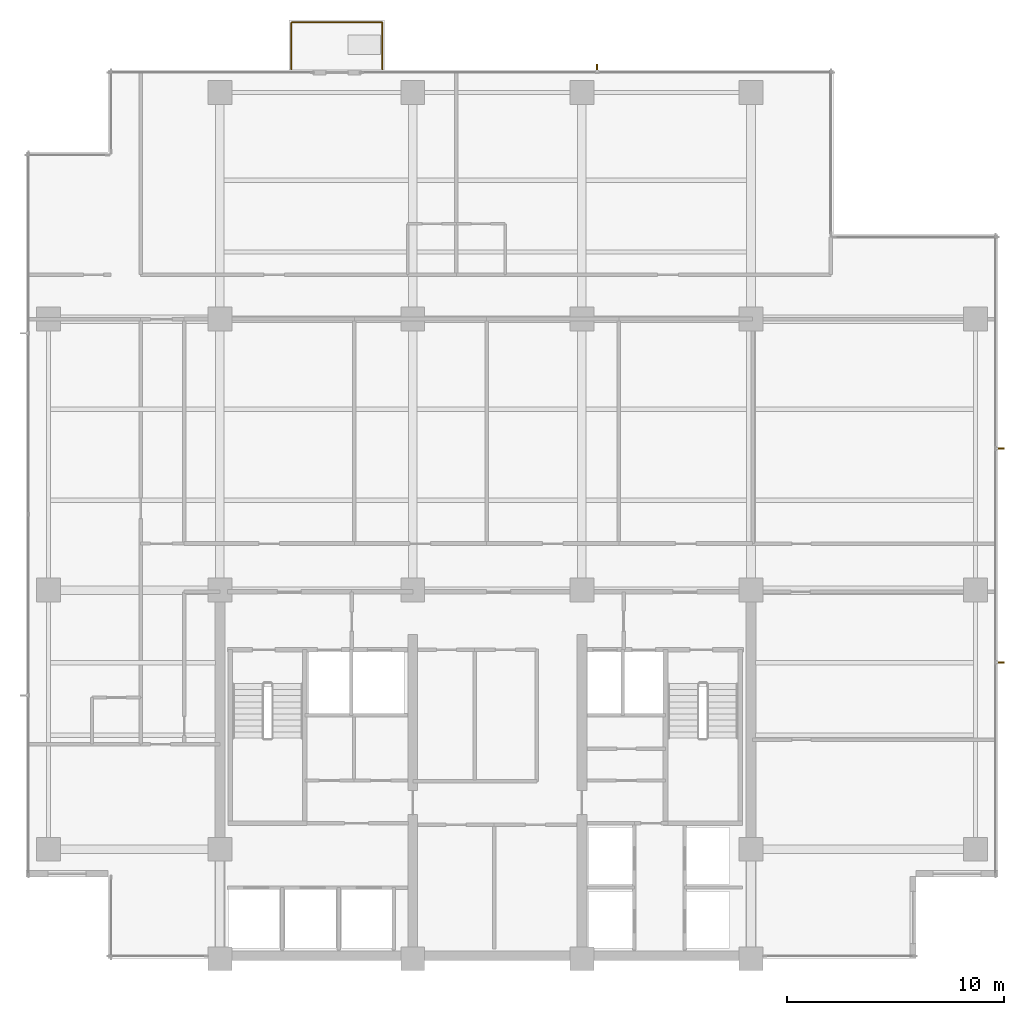
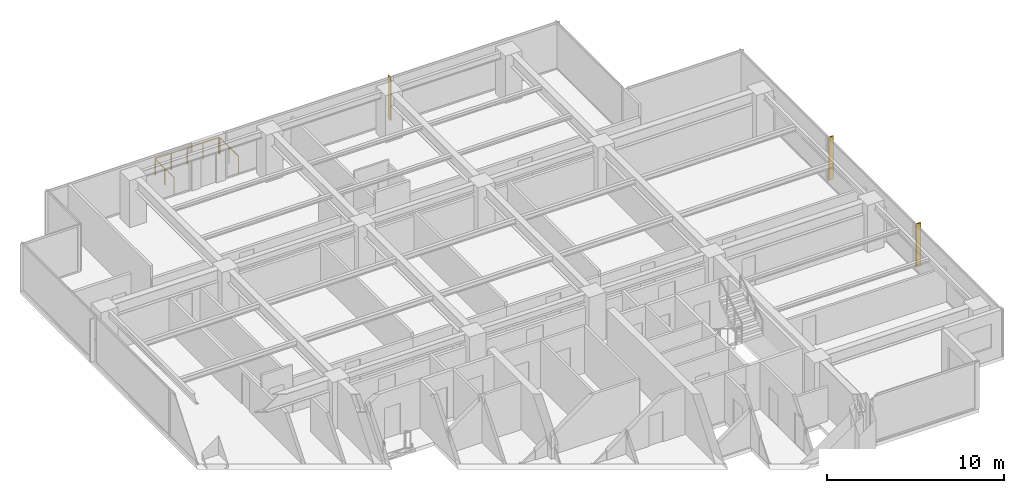
# One storey, part 14 of 14: 3 railings, 3 shading devices.
"""IFC4 building model written with IfcOpenShell, lengths in metres."""

from ifc_helpers import new_model, si_unit, direction, frame, origin, origin_2d, place, context, subcontext, project, spatial, polyline, circle, outline, extrude, material, layer, layer_set, type_object, element, save


model = new_model("IFC4")

# Units and contexts
model_context = context("Model", 3, precision=1e-05, world=origin(), true_north=direction((0.0, 1.0)))
body_context = subcontext(model_context, "Body", "Model", "MODEL_VIEW")
ifc_project = project(units=[si_unit("LENGTHUNIT", "METRE"), si_unit("AREAUNIT", "SQUARE_METRE"), si_unit("VOLUMEUNIT", "CUBIC_METRE"), si_unit("PLANEANGLEUNIT", "RADIAN"), si_unit("MASSUNIT", "GRAM", prefix="KILO")], contexts=[model_context])

# Site, building, storey
site_placement = place(None, origin())
site = spatial("IfcSite", under=ifc_project, at=site_placement, CompositionType="ELEMENT")
building_placement = place(site_placement, origin())
building = spatial("IfcBuilding", under=site, at=building_placement, Name="Qalmaran Belvedere Hotel", CompositionType="ELEMENT")
storey_placement = place(building_placement, frame((0.0, 0.0, 177.10009765625)))
storey = spatial("IfcBuildingStorey", under=building, at=storey_placement, Name="L45", CompositionType="ELEMENT", Elevation=177.10009765625)

# Shading devices
ifc_material = material(Name="Anodised Bronze Aluminium", Category="aluminium")
ifc_layer = layer(ifc_material, 0.06494140625, Name="Anodised Bronze Aluminium")
ifc_layer_set = layer_set([ifc_layer], Name="Anodised Bronze Aluminium")
shading_device_type = type_object("IfcShadingDeviceType", Name="FIN-BRNZ-300", PredefinedType="USERDEFINED", material=ifc_layer_set)
shading_device_1_placement = place(storey_placement, frame((0.0, 0.0, 0.159912109375)))
element("IfcShadingDevice", 1, at=shading_device_1_placement, inside=storey, type_object=shading_device_type, Name="L45 Bronze Fin 1", ObjectType="FIN", PredefinedType="USERDEFINED", context=body_context, shape_type="SweptSolid", body=[
    extrude(outline(polyline([(56.169921875, 17.13427734375), (56.469970703125, 17.13427734375), (56.469970703125, 17.19921875), (56.169921875, 17.19921875), (56.169921875, 17.13427734375)])), origin(), (0.0, 0.0, 1.0), 2.969970703125),
])
shading_device_2_placement = place(storey_placement, frame((0.0, 0.0, 0.159912109375)))
element("IfcShadingDevice", 2, at=shading_device_2_placement, inside=storey, type_object=shading_device_type, Name="L45 Bronze Fin 2", ObjectType="FIN", PredefinedType="USERDEFINED", context=body_context, shape_type="SweptSolid", body=[
    extrude(outline(polyline([(56.169921875, 27.000732421875), (56.469970703125, 27.000732421875), (56.469970703125, 27.06591796875), (56.169921875, 27.06591796875), (56.169921875, 27.000732421875)])), origin(), (0.0, 0.0, 1.0), 2.969970703125),
])
shading_device_3_placement = place(storey_placement, frame((0.0, 0.0, 0.159912109375)))
element("IfcShadingDevice", 3, at=shading_device_3_placement, inside=storey, type_object=shading_device_type, Name="L45 Bronze Fin 1", ObjectType="FIN", PredefinedType="USERDEFINED", context=body_context, shape_type="SweptSolid", body=[
    extrude(outline(polyline([(37.732421875, 44.469970703125), (37.732421875, 44.77001953125), (37.66748046875, 44.77001953125), (37.66748046875, 44.469970703125), (37.732421875, 44.469970703125)])), origin(), (0.0, 0.0, 1.0), 2.969970703125),
])

# Railings
railing_type = type_object("IfcRailingType", Name="GRD-BAL-1150", PredefinedType="BALUSTRADE", material=ifc_material)
railing_1_placement = place(storey_placement, frame((23.60009765625, 44.534912109375, 0.0)))
element("IfcRailing", 4, at=railing_1_placement, inside=storey, type_object=railing_type, Name="L45 Guardrail BAL-L45-N-1", PredefinedType="BALUSTRADE", context=body_context, shape_type="SweptSolid", body=[
    extrude(circle(Radius=0.02392578125, at=origin_2d()), frame((0.0, 0.0, 1.1259765625), z_axis=(0.0, 1.0, 0.0), x_axis=(-1.0, 0.0, 0.0)), (0.0, 0.0, 1.0), 2.130126953125),
    extrude(circle(Radius=0.02099609375, at=origin_2d()), origin(), (0.0, 0.0, 1.0), 1.101806640625),
    extrude(circle(Radius=0.02099609375, at=origin_2d()), frame((0.0, 1.06494140625, 0.0)), (0.0, 0.0, 1.0), 1.101806640625),
    extrude(circle(Radius=0.02099609375, at=origin_2d()), frame((0.0, 2.130126953125, 0.0)), (0.0, 0.0, 1.0), 1.101806640625),
])
railing_2_placement = place(storey_placement, frame((23.635009765625, 46.699951171875, 0.0)))
element("IfcRailing", 5, at=railing_2_placement, inside=storey, type_object=railing_type, Name="L45 Guardrail BAL-L45-N-2", PredefinedType="BALUSTRADE", context=body_context, shape_type="SweptSolid", body=[
    extrude(circle(Radius=0.02392578125, at=origin_2d()), frame((0.0, 0.0, 1.1259765625), z_axis=(1.0, 0.0, 0.0), x_axis=(0.0, 1.0, 0.0)), (0.0, 0.0, 1.0), 4.1298828125),
    extrude(circle(Radius=0.02099609375, at=origin_2d()), origin(), (0.0, 0.0, 1.0), 1.101806640625),
    extrude(circle(Radius=0.02099609375, at=origin_2d()), frame((1.032470703125, 0.0, 0.0)), (0.0, 0.0, 1.0), 1.101806640625),
    extrude(circle(Radius=0.02099609375, at=origin_2d()), frame((2.06494140625, 0.0, 0.0)), (0.0, 0.0, 1.0), 1.101806640625),
    extrude(circle(Radius=0.02099609375, at=origin_2d()), frame((3.097412109375, 0.0, 0.0)), (0.0, 0.0, 1.0), 1.101806640625),
    extrude(circle(Radius=0.02099609375, at=origin_2d()), frame((4.1298828125, 0.0, 0.0)), (0.0, 0.0, 1.0), 1.101806640625),
])
railing_3_placement = place(storey_placement, frame((27.800048828125, 46.6650390625, 0.0)))
element("IfcRailing", 6, at=railing_3_placement, inside=storey, type_object=railing_type, Name="L45 Guardrail BAL-L45-N-3", PredefinedType="BALUSTRADE", context=body_context, shape_type="SweptSolid", body=[
    extrude(circle(Radius=0.02392578125, at=origin_2d()), frame((0.0, 0.0, 1.1259765625), z_axis=(0.0, -1.0, 0.0), x_axis=(1.0, 0.0, 0.0)), (0.0, 0.0, 1.0), 2.130126953125),
    extrude(circle(Radius=0.02099609375, at=origin_2d()), origin(), (0.0, 0.0, 1.0), 1.101806640625),
    extrude(circle(Radius=0.02099609375, at=origin_2d()), frame((0.0, -1.06494140625, 0.0)), (0.0, 0.0, 1.0), 1.101806640625),
    extrude(circle(Radius=0.02099609375, at=origin_2d()), frame((0.0, -2.130126953125, 0.0)), (0.0, 0.0, 1.0), 1.101806640625),
])

save(model, "model.ifc")
